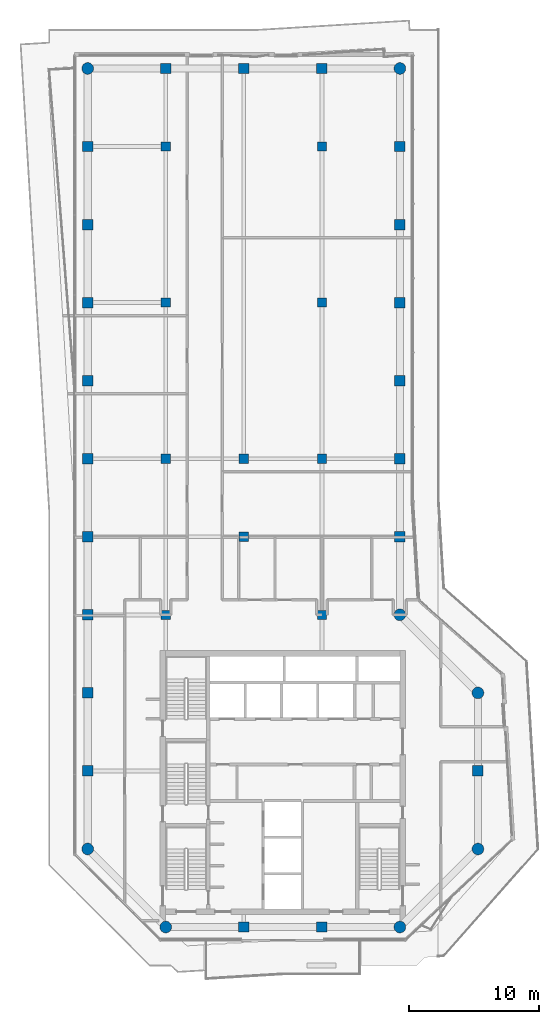
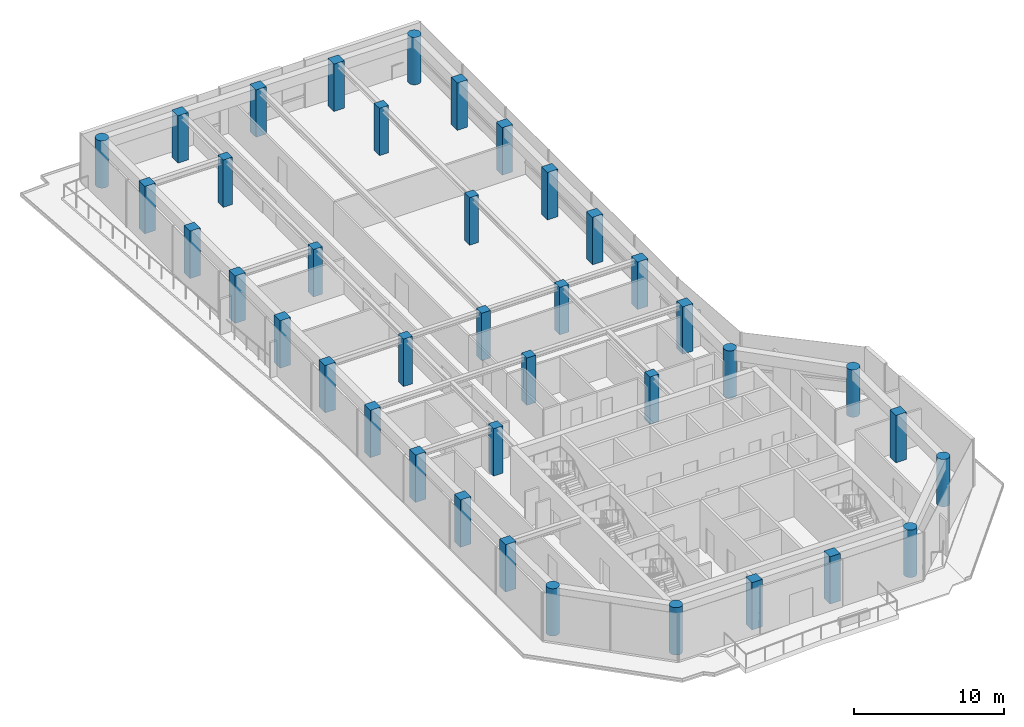
# One storey, part 1 of 21: 39 columns.
"""IFC4 building model written with IfcOpenShell, lengths in metres."""

from ifc_helpers import new_model, si_unit, direction, frame, origin, origin_2d, place, context, subcontext, project, spatial, rectangle, circle, extrude, material, material_profile, profile_set, type_object, element, save


model = new_model("IFC4")

# Units and contexts
model_context = context("Model", 3, precision=1e-05, world=origin(), true_north=direction((0.0, 1.0)))
body_context = subcontext(model_context, "Body", "Model", "MODEL_VIEW")
ifc_project = project(units=[si_unit("LENGTHUNIT", "METRE"), si_unit("AREAUNIT", "SQUARE_METRE"), si_unit("VOLUMEUNIT", "CUBIC_METRE"), si_unit("PLANEANGLEUNIT", "RADIAN"), si_unit("MASSUNIT", "GRAM", prefix="KILO")], contexts=[model_context])

# Site, building, storey
site_placement = place(None, origin())
site = spatial("IfcSite", under=ifc_project, at=site_placement, CompositionType="ELEMENT")
building_placement = place(site_placement, origin())
building = spatial("IfcBuilding", under=site, at=building_placement, Name="Welwitschia Terrace Campus", CompositionType="ELEMENT")
storey_placement = place(building_placement, frame((0.0, 0.0, 213.800048828125)))
storey = spatial("IfcBuildingStorey", under=building, at=storey_placement, Name="L47", CompositionType="ELEMENT", Elevation=213.800048828125)

# Columns
ifc_material_1 = material(Name="Concrete C50/60", Category="concrete")
ifc_material_profile_1 = material_profile(ifc_material_1, circle(Radius=0.449951171875, at=origin_2d()))
ifc_profile_set_1 = profile_set([ifc_material_profile_1], Name="Concrete C50/60")
column_type_1 = type_object("IfcColumnType", Name="Corner column 900 dia", PredefinedType="COLUMN", material=ifc_profile_set_1)
for number, where, z_axis, x_axis, name in (
    (1, (0.0, 10.0, 0.0), (0.0, 0.0, 1.0), (1.0, 0.0, 0.0), "Column C32"),
    (2, (0.0, 70.0, 0.0), (0.0, 0.0, 1.0), (1.0, 0.0, 0.0), "Column C32"),
    (3, (6.0, 4.0, 0.0), (0.0, 0.0, 1.0), (1.0, 0.0, 0.0), "Column C32"),
    (4, (24.0, 4.0, 0.0), (0.0, 0.0, 1.0), (1.0, 0.0, 0.0), "Column C32"),
    (5, (24.0, 28.0, 0.0), (0.0, 0.0, 1.0), (1.0, 0.0, 0.0), "Column C32"),
    (6, (24.0, 70.0, 0.0), (0.0, 0.0, 1.0), (1.0, 0.0, 0.0), "Column C32"),
    (7, (30.0, 10.0, 0.0), (0.0, 0.0, 1.0), (1.0, 0.0, 0.0), "Column C32"),
    (8, (30.0, 22.0, 0.0), (0.0, 0.0, 1.0), (1.0, 0.0, 0.0), "Column C32"),
):
    element("IfcColumn", number, at=place(storey_placement, frame(where, z_axis=z_axis, x_axis=x_axis)), inside=storey, type_object=column_type_1, Name=name, PredefinedType="COLUMN", context=body_context, shape_type="SweptSolid", body=[
        extrude(circle(Radius=0.449951171875, at=origin_2d()), origin(), (0.0, 0.0, 1.0), 3.849853515625),
    ])
ifc_material_2 = material(Name="Concrete C50/60", Category="concrete")
ifc_material_profile_2 = material_profile(ifc_material_2, rectangle(XDim=0.699951171875, YDim=0.699951171875, at=origin_2d()))
ifc_profile_set_2 = profile_set([ifc_material_profile_2], Name="Concrete C50/60")
column_type_2 = type_object("IfcColumnType", Name="Interior column 700x700", PredefinedType="COLUMN", material=ifc_profile_set_2)
for number, where, z_axis, x_axis, name in (
    (9, (6.0, 28.0, 0.0), (0.0, 0.0, 1.0), (1.0, 0.0, 0.0), "Column C34"),
    (10, (6.0, 40.0, 0.0), (0.0, 0.0, 1.0), (1.0, 0.0, 0.0), "Column C34"),
    (11, (6.0, 52.0, 0.0), (0.0, 0.0, 1.0), (1.0, 0.0, 0.0), "Column C34"),
    (12, (6.0, 64.0, 0.0), (0.0, 0.0, 1.0), (1.0, 0.0, 0.0), "Column C34"),
    (13, (12.0, 34.0, 0.0), (0.0, 0.0, 1.0), (1.0, 0.0, 0.0), "Column C34"),
    (14, (12.0, 40.0, 0.0), (0.0, 0.0, 1.0), (1.0, 0.0, 0.0), "Column C34"),
    (15, (18.0, 28.0, 0.0), (0.0, 0.0, 1.0), (1.0, 0.0, 0.0), "Column C34"),
    (16, (18.0, 40.0, 0.0), (0.0, 0.0, 1.0), (1.0, 0.0, 0.0), "Column C34"),
    (17, (18.0, 52.0, 0.0), (0.0, 0.0, 1.0), (1.0, 0.0, 0.0), "Column C34"),
    (18, (18.0, 64.0, 0.0), (0.0, 0.0, 1.0), (1.0, 0.0, 0.0), "Column C34"),
):
    element("IfcColumn", number, at=place(storey_placement, frame(where, z_axis=z_axis, x_axis=x_axis)), inside=storey, type_object=column_type_2, Name=name, PredefinedType="COLUMN", context=body_context, shape_type="SweptSolid", body=[
        extrude(rectangle(XDim=0.699951171875, YDim=0.699951171875, at=origin_2d()), origin(), (0.0, 0.0, 1.0), 3.849853515625),
    ])
ifc_material_3 = material(Name="Concrete C50/60", Category="concrete")
ifc_material_profile_3 = material_profile(ifc_material_3, rectangle(XDim=0.800048828125, YDim=0.800048828125, at=origin_2d()))
ifc_profile_set_3 = profile_set([ifc_material_profile_3], Name="Concrete C50/60")
column_type_3 = type_object("IfcColumnType", Name="Ring column 800x800", PredefinedType="COLUMN", material=ifc_profile_set_3)
for number, where, z_axis, x_axis, name in (
    (19, (0.0, 16.0, 0.0), (0.0, 0.0, 1.0), (1.0, 0.0, 0.0), "Column C33"),
    (20, (0.0, 22.0, 0.0), (0.0, 0.0, 1.0), (1.0, 0.0, 0.0), "Column C33"),
    (21, (0.0, 28.0, 0.0), (0.0, 0.0, 1.0), (1.0, 0.0, 0.0), "Column C33"),
    (22, (0.0, 34.0, 0.0), (0.0, 0.0, 1.0), (1.0, 0.0, 0.0), "Column C33"),
    (23, (0.0, 40.0, 0.0), (0.0, 0.0, 1.0), (1.0, 0.0, 0.0), "Column C33"),
    (24, (0.0, 46.0, 0.0), (0.0, 0.0, 1.0), (1.0, 0.0, 0.0), "Column C33"),
    (25, (0.0, 52.0, 0.0), (0.0, 0.0, 1.0), (1.0, 0.0, 0.0), "Column C33"),
    (26, (0.0, 58.0, 0.0), (0.0, 0.0, 1.0), (1.0, 0.0, 0.0), "Column C33"),
    (27, (0.0, 64.0, 0.0), (0.0, 0.0, 1.0), (1.0, 0.0, 0.0), "Column C33"),
    (28, (6.0, 70.0, 0.0), (0.0, 0.0, 1.0), (1.0, 0.0, 0.0), "Column C33"),
    (29, (12.0, 4.0, 0.0), (0.0, 0.0, 1.0), (1.0, 0.0, 0.0), "Column C33"),
    (30, (12.0, 70.0, 0.0), (0.0, 0.0, 1.0), (1.0, 0.0, 0.0), "Column C33"),
    (31, (18.0, 4.0, 0.0), (0.0, 0.0, 1.0), (1.0, 0.0, 0.0), "Column C33"),
    (32, (18.0, 70.0, 0.0), (0.0, 0.0, 1.0), (1.0, 0.0, 0.0), "Column C33"),
    (33, (24.0, 34.0, 0.0), (0.0, 0.0, 1.0), (1.0, 0.0, 0.0), "Column C33"),
    (34, (24.0, 40.0, 0.0), (0.0, 0.0, 1.0), (1.0, 0.0, 0.0), "Column C33"),
    (35, (24.0, 46.0, 0.0), (0.0, 0.0, 1.0), (1.0, 0.0, 0.0), "Column C33"),
    (36, (24.0, 52.0, 0.0), (0.0, 0.0, 1.0), (1.0, 0.0, 0.0), "Column C33"),
    (37, (24.0, 58.0, 0.0), (0.0, 0.0, 1.0), (1.0, 0.0, 0.0), "Column C33"),
    (38, (24.0, 64.0, 0.0), (0.0, 0.0, 1.0), (1.0, 0.0, 0.0), "Column C33"),
    (39, (30.0, 16.0, 0.0), (0.0, 0.0, 1.0), (1.0, 0.0, 0.0), "Column C33"),
):
    element("IfcColumn", number, at=place(storey_placement, frame(where, z_axis=z_axis, x_axis=x_axis)), inside=storey, type_object=column_type_3, Name=name, PredefinedType="COLUMN", context=body_context, shape_type="SweptSolid", body=[
        extrude(rectangle(XDim=0.800048828125, YDim=0.800048828125, at=origin_2d()), origin(), (0.0, 0.0, 1.0), 3.849853515625),
    ])

save(model, "model.ifc")
